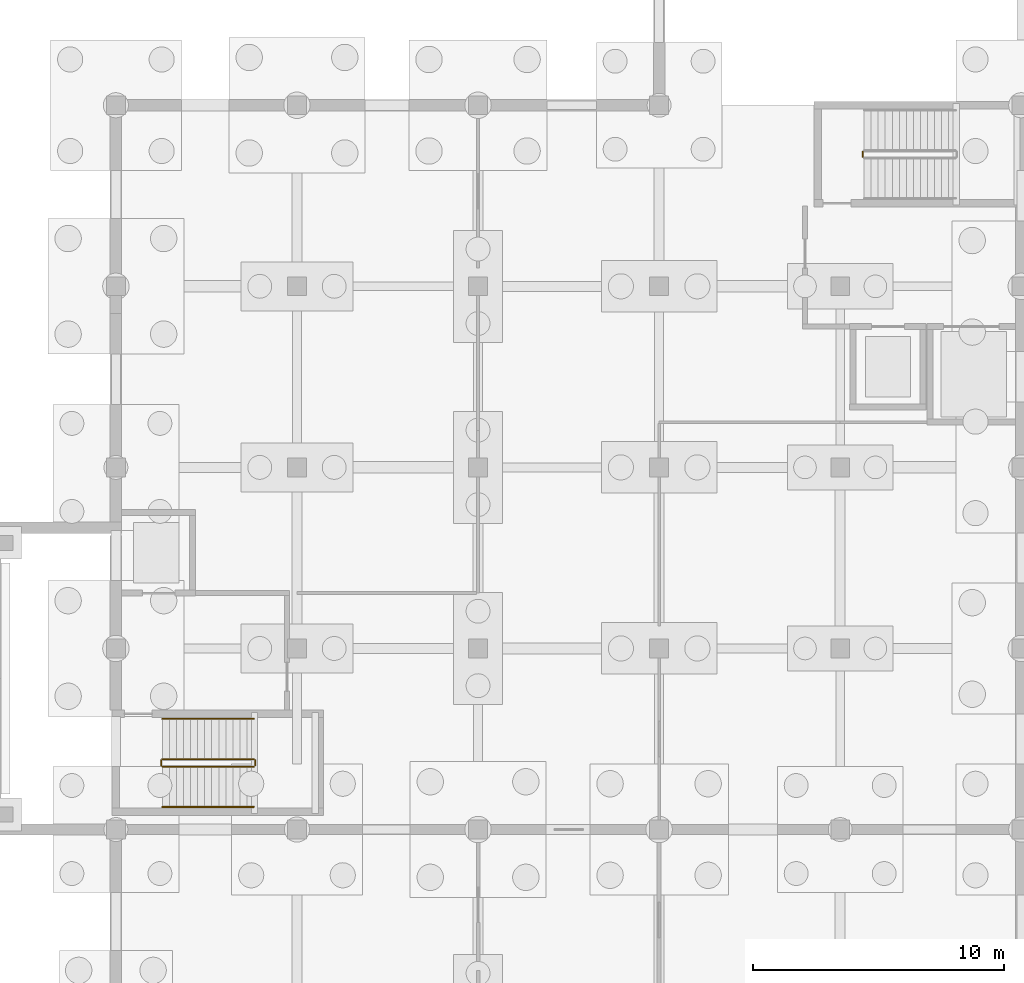
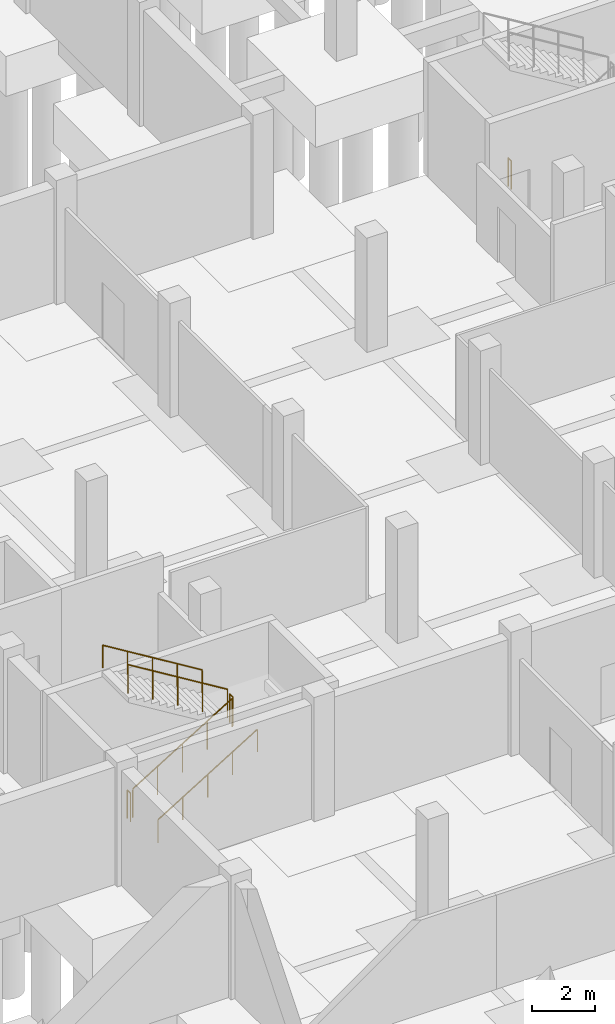
# One storey, part 33 of 35: 7 railings.
"""IFC4 building model written with IfcOpenShell, lengths in metres."""

from ifc_helpers import new_model, si_unit, direction, frame, origin, origin_2d, place, context, subcontext, project, spatial, circle, extrude, material, type_object, element, save


model = new_model("IFC4")

# Units and contexts
model_context = context("Model", 3, precision=1e-05, world=origin(), true_north=direction((0.0, 1.0)))
body_context = subcontext(model_context, "Body", "Model", "MODEL_VIEW")
ifc_project = project(units=[si_unit("LENGTHUNIT", "METRE"), si_unit("AREAUNIT", "SQUARE_METRE"), si_unit("VOLUMEUNIT", "CUBIC_METRE"), si_unit("PLANEANGLEUNIT", "RADIAN"), si_unit("MASSUNIT", "GRAM", prefix="KILO"), si_unit("THERMODYNAMICTEMPERATUREUNIT", "KELVIN"), si_unit("POWERUNIT", "WATT")], contexts=[model_context])

# Site, building, storey
site_placement = place(None, origin())
site = spatial("IfcSite", under=ifc_project, at=site_placement, CompositionType="ELEMENT")
building_placement = place(site_placement, origin())
building = spatial("IfcBuilding", under=site, at=building_placement, Name="Kaldorven Railside Theatre", CompositionType="ELEMENT")
storey_placement = place(building_placement, frame((0.0, 0.0, -4.800048828125)))
storey = spatial("IfcBuildingStorey", under=building, at=storey_placement, Name="B1", CompositionType="ELEMENT", Elevation=-4.800048828125)

# Railings
ifc_material = material(Name="Steel S355", Category="steel")
railing_type_1 = type_object("IfcRailingType", Name="RLG-STG-1100", PredefinedType="BALUSTRADE", material=ifc_material)
railing_1_placement = place(storey_placement, frame((89.050048828125, 86.5, 0.17138671875)))
element("IfcRailing", 1, at=railing_1_placement, inside=storey, type_object=railing_type_1, Name="B1 ST-05 stair guard 1", PredefinedType="BALUSTRADE", context=body_context, shape_type="SweptSolid", body=[
    extrude(circle(Radius=0.02392578125, at=origin_2d()), frame((0.0, 0.0, 1.09619140625), z_axis=(0.852824790078, 0.0, 0.522197163366), x_axis=(0.0, 1.0, 0.0)), (0.0, 0.0, 1.0), 4.26806640625),
    extrude(circle(Radius=0.02099609375, at=origin_2d()), origin(), (0.0, 0.0, 1.0), 1.072021484375),
    extrude(circle(Radius=0.02099609375, at=origin_2d()), frame((0.909912109375, 0.0, 0.55712890625)), (0.0, 0.0, 1.0), 1.072021484375),
    extrude(circle(Radius=0.02099609375, at=origin_2d()), frame((1.81982421875, 0.0, 1.1142578125)), (0.0, 0.0, 1.0), 1.072021484375),
    extrude(circle(Radius=0.02099609375, at=origin_2d()), frame((2.72998046875, 0.0, 1.671630859375)), (0.0, 0.0, 1.0), 1.072021484375),
    extrude(circle(Radius=0.02099609375, at=origin_2d()), frame((3.639892578125, 0.0, 2.228759765625)), (0.0, 0.0, 1.0), 1.072021484375),
])
railing_2_placement = place(storey_placement, frame((92.739990234375, 86.550048828125, 2.400146484375)))
element("IfcRailing", 2, at=railing_2_placement, inside=storey, type_object=railing_type_1, Name="B1 ST-05 stair guard 2", PredefinedType="BALUSTRADE", context=body_context, shape_type="SweptSolid", body=[
    extrude(circle(Radius=0.02392578125, at=origin_2d()), frame((0.0, 0.0, 1.09619140625), z_axis=(0.0, 1.0, 0.0), x_axis=(-1.0, 0.0, 0.0)), (0.0, 0.0, 1.0), 0.199951171875),
    extrude(circle(Radius=0.02099609375, at=origin_2d()), origin(), (0.0, 0.0, 1.0), 1.072021484375),
    extrude(circle(Radius=0.02099609375, at=origin_2d()), frame((0.0, 0.199951171875, 0.0)), (0.0, 0.0, 1.0), 1.072021484375),
])
railing_3_placement = place(storey_placement, frame((92.68994140625, 86.800048828125, 2.571533203125)))
element("IfcRailing", 3, at=railing_3_placement, inside=storey, type_object=railing_type_1, Name="B1 ST-05 stair guard 3", PredefinedType="BALUSTRADE", context=body_context, shape_type="SweptSolid", body=[
    extrude(circle(Radius=0.02392578125, at=origin_2d()), frame((0.0, 0.0, 1.09619140625), z_axis=(-0.852850264322, 0.0, 0.5221555579), x_axis=(0.0, -1.0, 0.0)), (0.0, 0.0, 1.0), 4.267822265625),
    extrude(circle(Radius=0.02099609375, at=origin_2d()), origin(), (0.0, 0.0, 1.0), 1.072021484375),
    extrude(circle(Radius=0.02099609375, at=origin_2d()), frame((-0.909912109375, 0.0, 0.55712890625)), (0.0, 0.0, 1.0), 1.072021484375),
    extrude(circle(Radius=0.02099609375, at=origin_2d()), frame((-1.81982421875, 0.0, 1.1142578125)), (0.0, 0.0, 1.0), 1.072021484375),
    extrude(circle(Radius=0.02099609375, at=origin_2d()), frame((-2.72998046875, 0.0, 1.67138671875)), (0.0, 0.0, 1.0), 1.072021484375),
    extrude(circle(Radius=0.02099609375, at=origin_2d()), frame((-3.639892578125, 0.0, 2.228515625)), (0.0, 0.0, 1.0), 1.072021484375),
])
for number, where, name in (
    (4, (89.0, 86.550048828125, 0.0), "B1 ST-05 stair guard 4"),
    (5, (116.89990234375, 110.75, 0.0), "B1 ST-06 stair guard 4"),
):
    element("IfcRailing", number, at=place(storey_placement, frame(where)), inside=storey, type_object=railing_type_1, Name=name, PredefinedType="BALUSTRADE", context=body_context, shape_type="SweptSolid", body=[
        extrude(circle(Radius=0.02392578125, at=origin_2d()), frame((0.0, 0.0, 1.09619140625), z_axis=(0.0, 1.0, 0.0), x_axis=(-1.0, 0.0, 0.0)), (0.0, 0.0, 1.0), 0.199951171875),
        extrude(circle(Radius=0.02099609375, at=origin_2d()), origin(), (0.0, 0.0, 1.0), 1.072021484375),
        extrude(circle(Radius=0.02099609375, at=origin_2d()), frame((0.0, 0.199951171875, 0.0)), (0.0, 0.0, 1.0), 1.072021484375),
    ])
railing_type_2 = type_object("IfcRailingType", Name="RLG-STH-900", PredefinedType="HANDRAIL", material=ifc_material)
railing_4_placement = place(storey_placement, frame((89.050048828125, 84.89990234375, 0.17138671875)))
element("IfcRailing", 6, at=railing_4_placement, inside=storey, type_object=railing_type_2, Name="B1 ST-05 stair handrail 1", PredefinedType="HANDRAIL", context=body_context, shape_type="SweptSolid", body=[
    extrude(circle(Radius=0.02392578125, at=origin_2d()), frame((0.0, 0.0, 0.8759765625), z_axis=(0.852824790078, 0.0, 0.522197163366), x_axis=(0.0, 1.0, 0.0)), (0.0, 0.0, 1.0), 4.26806640625),
    extrude(circle(Radius=0.02099609375, at=origin_2d()), origin(), (0.0, 0.0, 1.0), 0.851806640625),
    extrude(circle(Radius=0.02099609375, at=origin_2d()), frame((0.909912109375, 0.0, 0.55712890625)), (0.0, 0.0, 1.0), 0.851806640625),
    extrude(circle(Radius=0.02099609375, at=origin_2d()), frame((1.81982421875, 0.0, 1.1142578125)), (0.0, 0.0, 1.0), 0.851806640625),
    extrude(circle(Radius=0.02099609375, at=origin_2d()), frame((2.72998046875, 0.0, 1.671630859375)), (0.0, 0.0, 1.0), 0.851806640625),
    extrude(circle(Radius=0.02099609375, at=origin_2d()), frame((3.639892578125, 0.0, 2.228759765625)), (0.0, 0.0, 1.0), 0.851806640625),
])
railing_5_placement = place(storey_placement, frame((92.68994140625, 88.39990234375, 2.571533203125)))
element("IfcRailing", 7, at=railing_5_placement, inside=storey, type_object=railing_type_2, Name="B1 ST-05 stair handrail 2", PredefinedType="HANDRAIL", context=body_context, shape_type="SweptSolid", body=[
    extrude(circle(Radius=0.02392578125, at=origin_2d()), frame((0.0, 0.0, 0.8759765625), z_axis=(-0.852850264322, 0.0, 0.5221555579), x_axis=(0.0, -1.0, 0.0)), (0.0, 0.0, 1.0), 4.267822265625),
    extrude(circle(Radius=0.02099609375, at=origin_2d()), origin(), (0.0, 0.0, 1.0), 0.851806640625),
    extrude(circle(Radius=0.02099609375, at=origin_2d()), frame((-0.909912109375, 0.0, 0.55712890625)), (0.0, 0.0, 1.0), 0.851806640625),
    extrude(circle(Radius=0.02099609375, at=origin_2d()), frame((-1.81982421875, 0.0, 1.1142578125)), (0.0, 0.0, 1.0), 0.851806640625),
    extrude(circle(Radius=0.02099609375, at=origin_2d()), frame((-2.72998046875, 0.0, 1.67138671875)), (0.0, 0.0, 1.0), 0.851806640625),
    extrude(circle(Radius=0.02099609375, at=origin_2d()), frame((-3.639892578125, 0.0, 2.228515625)), (0.0, 0.0, 1.0), 0.851806640625),
])

save(model, "model.ifc")
